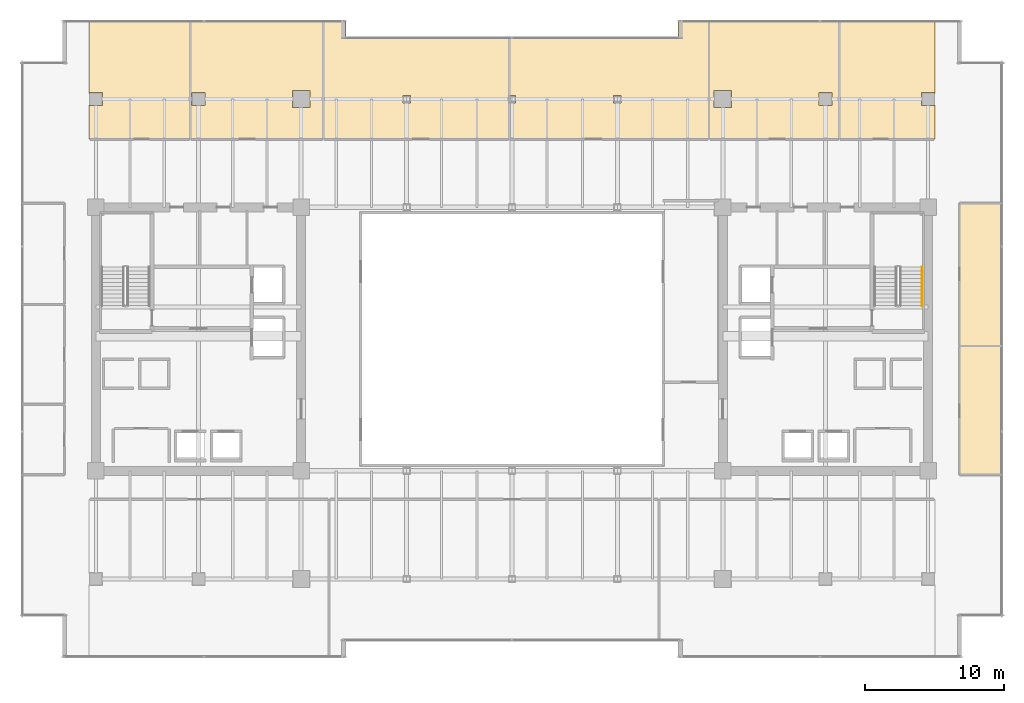
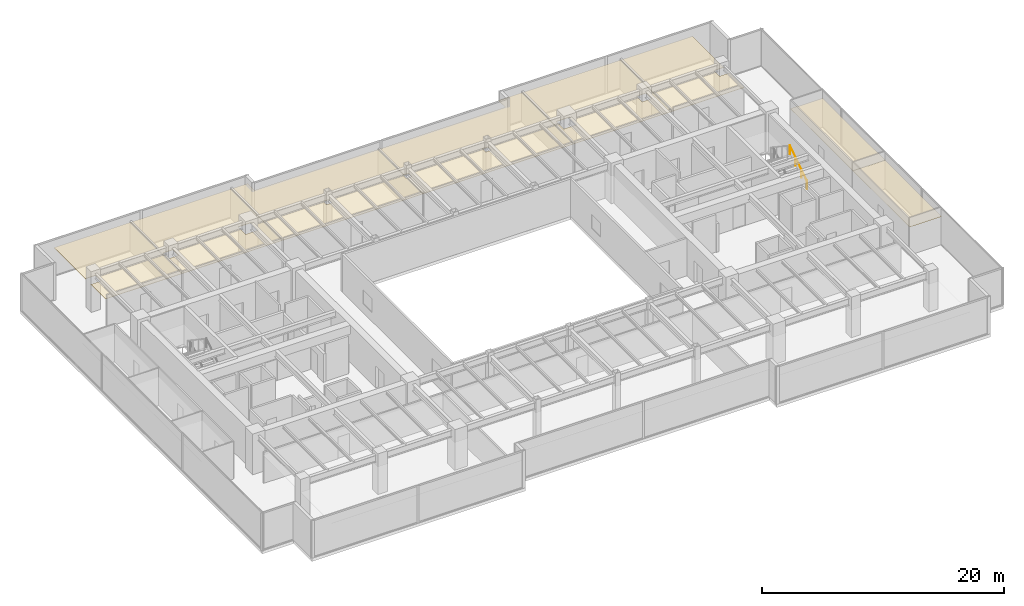
# One storey, part 33 of 33: 8 coverings, 1 railing.
"""IFC4 building model written with IfcOpenShell, lengths in metres."""

import ifcopenshell
import ifcopenshell.guid

model = None  # the IFC model being written
_history = None  # IfcOwnerHistory: only IFC2X3 demands one
_inside = {}  # id of a spatial element -> (the spatial element, [elements in it])
_under = {}  # id of a project, library or spatial element -> (it, [spatial elements below it])
_declared = {}  # id of a project -> (the project, [libraries it declares])
_typed = {}  # id of a type object -> (the type object, [elements of that type])
_made_of = {}  # id of a material, layer set ... -> (it, [elements and type objects made of it])


def new_model(schema):
    """Start an empty IFC model of exactly this schema.

    Asked for "IFC4X3", IfcOpenShell would pick the latest addendum, in which some entities
    have other attributes; the version numbers below select the first issue.
    IFC2X3 requires an IfcOwnerHistory on every rooted entity: one is made here for all.
    """
    global model, _history
    if schema == "IFC4X3":
        model = ifcopenshell.file(schema_version=(4, 3, 0, 0))
    else:
        model = ifcopenshell.file(schema=schema)
    _inside.clear()
    _under.clear()
    _declared.clear()
    _typed.clear()
    _made_of.clear()
    _history = None
    if model.schema == "IFC2X3":
        org = make("IfcOrganization", Name="unknown")
        user = make(
            "IfcPersonAndOrganization",
            ThePerson=make("IfcPerson", FamilyName="unknown"),
            TheOrganization=org,
        )
        app = make(
            "IfcApplication",
            ApplicationDeveloper=org,
            Version="unknown",
            ApplicationFullName="unknown",
            ApplicationIdentifier="unknown",
        )
        _history = make(
            "IfcOwnerHistory",
            OwningUser=user,
            OwningApplication=app,
            ChangeAction="ADDED",
            CreationDate=0,
        )
    return model


def make(cls, **values):
    """One entity of the class cls with the attributes given. An attribute that is None is left unset."""
    return model.create_entity(
        cls, **{name: value for name, value in values.items() if value is not None}
    )


def rooted(cls, **values):
    """An entity with a GlobalId (a new one), such as an element, a storey or a relation."""
    return make(cls, GlobalId=ifcopenshell.guid.new(), OwnerHistory=_history, **values)


def si_unit(unit_type, name, prefix=None):
    """IfcSIUnit, for example si_unit("LENGTHUNIT", "METRE", prefix="MILLI")."""
    return make("IfcSIUnit", UnitType=unit_type, Prefix=prefix, Name=name)


def assignment(units):
    """IfcUnitAssignment: the units of a project."""
    return None if units is None else make("IfcUnitAssignment", Units=units)


def point(xyz):
    """IfcCartesianPoint."""
    return None if xyz is None else make("IfcCartesianPoint", Coordinates=xyz)


def direction(xyz):
    """IfcDirection."""
    return None if xyz is None else make("IfcDirection", DirectionRatios=xyz)


def frame(location, z_axis=None, x_axis=None):
    """IfcAxis2Placement3D, a coordinate frame: its origin and axes. An axis left out is left unset."""
    return make(
        "IfcAxis2Placement3D",
        Location=point(location),
        Axis=direction(z_axis),
        RefDirection=direction(x_axis),
    )


def frame_2d(location, x_axis=None):
    """IfcAxis2Placement2D, a coordinate frame in the plane: its origin and x axis."""
    return make(
        "IfcAxis2Placement2D", Location=point(location), RefDirection=direction(x_axis)
    )


def origin():
    """The frame at (0, 0, 0) with its axes left unset."""
    return frame((0.0, 0.0, 0.0))


def origin_2d():
    """The frame at (0, 0) in the plane with its x axis left unset."""
    return frame_2d((0.0, 0.0))


def place(relative_to, where):
    """IfcLocalPlacement: puts the frame where relative to a parent placement (None: the world)."""
    return make(
        "IfcLocalPlacement", PlacementRelTo=relative_to, RelativePlacement=where
    )


def context(
    kind, dimensions, precision=None, world=None, true_north=None, identifier=None
):
    """IfcGeometricRepresentationContext, for example the 3D "Model" context."""
    return make(
        "IfcGeometricRepresentationContext",
        ContextIdentifier=identifier,
        ContextType=kind,
        CoordinateSpaceDimension=dimensions,
        Precision=precision,
        WorldCoordinateSystem=world,
        TrueNorth=true_north,
    )


def subcontext(parent, identifier, kind, view, scale=None):
    """IfcGeometricRepresentationSubContext, for example "Body" below "Model"."""
    return make(
        "IfcGeometricRepresentationSubContext",
        ContextIdentifier=identifier,
        ContextType=kind,
        ParentContext=parent,
        TargetScale=scale,
        TargetView=view,
    )


def project(units=None, contexts=None):
    """IfcProject with its units and contexts."""
    return rooted(
        "IfcProject",
        Name="project",
        RepresentationContexts=contexts,
        UnitsInContext=assignment(units),
    )


def spatial(cls, under=None, at=None, **own):
    """A site, building, storey or space (cls), placed at a placement, below another one or the project."""
    s = rooted(cls, ObjectPlacement=at, **own)
    if under is not None:
        _under.setdefault(under.id(), (under, []))[1].append(s)
    return s


def polyline(points):
    """IfcPolyline through the points."""
    return make("IfcPolyline", Points=[point(p) for p in points])


def profile(cls, at=None, kind="AREA", **sizes):
    """A parametric profile (cls). Its sizes go by their IFC names, for example OverallWidth=200.0."""
    return make(cls, ProfileType=kind, Position=at, **sizes)


def circle(**sizes):
    """IfcCircleProfileDef."""
    return profile("IfcCircleProfileDef", **sizes)


def outline(outer, holes=None, kind="AREA"):
    """IfcArbitraryClosedProfileDef: a profile drawn as a closed curve; with holes, ...WithVoids."""
    if holes is None:
        return make("IfcArbitraryClosedProfileDef", ProfileType=kind, OuterCurve=outer)
    return make(
        "IfcArbitraryProfileDefWithVoids",
        ProfileType=kind,
        OuterCurve=outer,
        InnerCurves=holes,
    )


def extrude(swept, where, along, depth):
    """IfcExtrudedAreaSolid: the profile swept, set in the frame where, extruded along a direction by depth."""
    return make(
        "IfcExtrudedAreaSolid",
        SweptArea=swept,
        Position=where,
        ExtrudedDirection=direction(along),
        Depth=depth,
    )


def shape(context_of_items, identifier, shape_type, items):
    """IfcShapeRepresentation: the items that make up one representation, for example the "Body"."""
    return make(
        "IfcShapeRepresentation",
        ContextOfItems=context_of_items,
        RepresentationIdentifier=identifier,
        RepresentationType=shape_type,
        Items=items,
    )


def source(mapping_origin, context_of_items, identifier, shape_type, items):
    """IfcRepresentationMap: a shape defined once, which mapped items show again and again."""
    return make(
        "IfcRepresentationMap",
        MappingOrigin=mapping_origin,
        MappedRepresentation=shape(context_of_items, identifier, shape_type, items),
    )


def transform(
    local_origin,
    x_axis=None,
    y_axis=None,
    z_axis=None,
    scale=None,
    scale2=None,
    scale3=None,
    uniform=True,
):
    """IfcCartesianTransformationOperator3D, or its non-uniform kind. x_axis, y_axis, z_axis: its Axis1, 2, 3."""
    if uniform:
        return make(
            "IfcCartesianTransformationOperator3D",
            Axis1=direction(x_axis),
            Axis2=direction(y_axis),
            LocalOrigin=point(local_origin),
            Scale=scale,
            Axis3=direction(z_axis),
        )
    return make(
        "IfcCartesianTransformationOperator3DnonUniform",
        Axis1=direction(x_axis),
        Axis2=direction(y_axis),
        LocalOrigin=point(local_origin),
        Scale=scale,
        Axis3=direction(z_axis),
        Scale2=scale2,
        Scale3=scale3,
    )


def mapped(mapping_source, mapping_target):
    """IfcMappedItem: shows the shape of a source again, moved by a transform."""
    return make(
        "IfcMappedItem", MappingSource=mapping_source, MappingTarget=mapping_target
    )


def material(Name=None, Category=None):
    """IfcMaterial."""
    return make("IfcMaterial", Name=Name, Category=Category)


def layer(
    of_material, thickness, ventilated=None, Name=None, Category=None, Priority=None
):
    """IfcMaterialLayer: one layer of a wall or slab, of a material (None: an air gap)."""
    return make(
        "IfcMaterialLayer",
        Material=of_material,
        LayerThickness=thickness,
        IsVentilated=ventilated,
        Name=Name,
        Category=Category,
        Priority=Priority,
    )


def layer_set(layers, Name=None):
    """IfcMaterialLayerSet."""
    return make("IfcMaterialLayerSet", MaterialLayers=layers, LayerSetName=Name)


def made_of(thing, what):
    """Note that an element or type object is made of a material, layer set ...; save() writes the relation."""
    if what is not None:
        _made_of.setdefault(what.id(), (what, []))[1].append(thing)
    return thing


def type_object(cls, material=None, **own):
    """A type object (cls), such as IfcWallType, which elements share."""
    return made_of(rooted(cls, **own), material)


def type_shapes(of_type, sources):
    """Give a type object the sources (RepresentationMaps) that its elements show as mapped items."""
    of_type.RepresentationMaps = sources


def element(
    cls,
    number,
    at=None,
    inside=None,
    cuts=None,
    type_object=None,
    material=None,
    context=None,
    identifier="Body",
    shape_type=None,
    held_by="IfcProductDefinitionShape",
    body=None,
    shapes=None,
    **own,
):
    """One element of the class cls, such as IfcWall. Its Tag is "e" and its number.

    at: its placement. inside: the storey or other place that contains it. cuts: it is an
    opening in that element (IfcRelVoidsElement). A single representation is given by context,
    identifier, shape_type and body (its items); several are given by shapes. held_by: the class
    of the entity that holds the representations. save() writes the other relations.
    """
    e = rooted(cls, Tag="e%d" % number, ObjectPlacement=at, **own)
    if body is not None:
        shapes = [shape(context, identifier, shape_type, body)]
    if shapes is not None:
        e.Representation = make(held_by, Representations=shapes)
    if inside is not None:
        _inside.setdefault(inside.id(), (inside, []))[1].append(e)
    if cuts is not None:
        rooted(
            "IfcRelVoidsElement", RelatingBuildingElement=cuts, RelatedOpeningElement=e
        )
    if type_object is not None:
        _typed.setdefault(type_object.id(), (type_object, []))[1].append(e)
    return made_of(e, material)


def aggregate(whole, parts):
    """IfcRelAggregates: a whole, such as a stair, and the parts it consists of."""
    return rooted("IfcRelAggregates", RelatingObject=whole, RelatedObjects=parts)


def save(model, path):
    """Write the relations noted so far, then the file.

    IfcRelAggregates (storeys below a building ...), IfcRelContainedInSpatialStructure (elements
    in a storey), IfcRelDefinesByType, IfcRelAssociatesMaterial and IfcRelDeclares: one each for
    every whole, place, type object, material and project.
    """
    for whole, parts in _under.values():
        aggregate(whole, parts)
    for where, things in _inside.values():
        rooted(
            "IfcRelContainedInSpatialStructure",
            RelatedElements=things,
            RelatingStructure=where,
        )
    for kind, things in _typed.values():
        rooted("IfcRelDefinesByType", RelatedObjects=things, RelatingType=kind)
    for what, things in _made_of.values():
        rooted("IfcRelAssociatesMaterial", RelatedObjects=things, RelatingMaterial=what)
    for by, libraries in _declared.values():
        rooted("IfcRelDeclares", RelatingContext=by, RelatedDefinitions=libraries)
    model.write(path)


model = new_model("IFC4")

# Units and contexts
model_context = context("Model", 3, precision=1e-05, world=origin(), true_north=direction((0.0, 1.0)))
body_context = subcontext(model_context, "Body", "Model", "MODEL_VIEW")
ifc_project = project(units=[si_unit("LENGTHUNIT", "METRE"), si_unit("AREAUNIT", "SQUARE_METRE"), si_unit("VOLUMEUNIT", "CUBIC_METRE"), si_unit("PLANEANGLEUNIT", "RADIAN"), si_unit("MASSUNIT", "GRAM", prefix="KILO")], contexts=[model_context])

# Site, building, storey
site_placement = place(None, origin())
site = spatial("IfcSite", under=ifc_project, at=site_placement, CompositionType="ELEMENT")
building_placement = place(site_placement, origin())
building = spatial("IfcBuilding", under=site, at=building_placement, Name="Haelvirn Gate Laboratories", CompositionType="ELEMENT")
storey_placement = place(building_placement, frame((0.0, 0.0, 133.800048828125)))
storey = spatial("IfcBuildingStorey", under=building, at=storey_placement, Name="L32", CompositionType="ELEMENT", Elevation=133.800048828125)

# Coverings
ifc_material_1 = material(Name="Micro-perforated acoustic mineral-fibre laboratory ceiling")
ifc_layer = layer(ifc_material_1, 0.0400390625, Name="COV-CEIL-ACT")
ifc_layer_set = layer_set([ifc_layer], Name="Micro-perforated acoustic mineral-fibre laboratory ceiling")
covering_type = type_object("IfcCoveringType", Name="COV-CEIL-ACT", PredefinedType="CEILING", material=ifc_layer_set)
covering_1_placement = place(storey_placement, frame((0.0, 0.0, 2.820068359375)))
element("IfcCovering", 1, at=covering_1_placement, inside=storey, type_object=covering_type, Name="L32 Laboratory Acoustic Ceiling CEIL-SP-L32-N-01", PredefinedType="CEILING", context=body_context, shape_type="SweptSolid", body=[
    extrude(outline(polyline([(6.919921875, 42.010009765625), (6.919921875, 47.25), (14.179931640625, 47.25), (14.179931640625, 38.715087890625), (6.919921875, 38.715087890625), (6.919921875, 41.18994140625), (6.929931640625, 41.18994140625), (6.929931640625, 41.1298828125), (7.8701171875, 41.1298828125), (7.8701171875, 42.070068359375), (6.929931640625, 42.070068359375), (6.929931640625, 42.010009765625), (6.919921875, 42.010009765625)])), origin(), (0.0, 0.0, 1.0), 0.039794921875),
])
covering_2_placement = place(storey_placement, frame((0.0, 0.0, 2.820068359375)))
element("IfcCovering", 2, at=covering_2_placement, inside=storey, type_object=covering_type, Name="L32 Laboratory Acoustic Ceiling CEIL-SP-L32-N-02", PredefinedType="CEILING", context=body_context, shape_type="SweptSolid", body=[
    extrude(outline(polyline([(14.219970703125, 47.25), (23.780029296875, 47.25), (23.780029296875, 38.715087890625), (14.219970703125, 38.715087890625), (14.219970703125, 47.25)]), holes=[polyline([(14.330078125, 42.070068359375), (14.330078125, 41.1298828125), (15.27001953125, 41.1298828125), (15.27001953125, 42.070068359375), (14.330078125, 42.070068359375)]), polyline([(22.820068359375, 42.219970703125), (21.580078125, 42.219970703125), (21.580078125, 40.97998046875), (22.820068359375, 40.97998046875), (22.820068359375, 42.219970703125)])]), origin(), (0.0, 0.0, 1.0), 0.039794921875),
])
covering_3_placement = place(storey_placement, frame((0.0, 0.0, 2.820068359375)))
element("IfcCovering", 3, at=covering_3_placement, inside=storey, type_object=covering_type, Name="L32 Laboratory Acoustic Ceiling CEIL-SP-L32-N-03", PredefinedType="CEILING", context=body_context, shape_type="SweptSolid", body=[
    extrude(outline(polyline([(25.419921875, 46.1201171875), (37.179931640625, 46.1201171875), (37.179931640625, 41.8701171875), (37.1298828125, 41.8701171875), (37.1298828125, 41.330078125), (37.179931640625, 41.330078125), (37.179931640625, 38.715087890625), (23.820068359375, 38.715087890625), (23.820068359375, 47.25), (25.419921875, 47.25), (25.419921875, 46.1201171875)]), holes=[polyline([(29.530029296875, 41.8701171875), (29.530029296875, 41.330078125), (30.070068359375, 41.330078125), (30.070068359375, 41.8701171875), (29.530029296875, 41.8701171875)])]), origin(), (0.0, 0.0, 1.0), 0.039794921875),
])
covering_4_placement = place(storey_placement, frame((0.0, 0.0, 2.820068359375)))
element("IfcCovering", 4, at=covering_4_placement, inside=storey, type_object=covering_type, Name="L32 Laboratory Acoustic Ceiling CEIL-SP-L32-N-04", PredefinedType="CEILING", context=body_context, shape_type="SweptSolid", body=[
    extrude(outline(polyline([(49.3798828125, 46.1201171875), (49.3798828125, 47.25), (51.580078125, 47.25), (51.580078125, 38.715087890625), (37.219970703125, 38.715087890625), (37.219970703125, 41.330078125), (37.669921875, 41.330078125), (37.669921875, 41.8701171875), (37.219970703125, 41.8701171875), (37.219970703125, 46.1201171875), (49.3798828125, 46.1201171875)]), holes=[polyline([(45.27001953125, 41.8701171875), (44.72998046875, 41.8701171875), (44.72998046875, 41.330078125), (45.27001953125, 41.330078125), (45.27001953125, 41.8701171875)])]), origin(), (0.0, 0.0, 1.0), 0.039794921875),
])
covering_5_placement = place(storey_placement, frame((0.0, 0.0, 2.820068359375)))
element("IfcCovering", 5, at=covering_5_placement, inside=storey, type_object=covering_type, Name="L32 Laboratory Acoustic Ceiling CEIL-SP-L32-N-05", PredefinedType="CEILING", context=body_context, shape_type="SweptSolid", body=[
    extrude(outline(polyline([(51.6201171875, 47.25), (60.97998046875, 47.25), (60.97998046875, 38.715087890625), (51.6201171875, 38.715087890625), (51.6201171875, 47.25)]), holes=[polyline([(51.97998046875, 42.219970703125), (51.97998046875, 40.97998046875), (53.219970703125, 40.97998046875), (53.219970703125, 42.219970703125), (51.97998046875, 42.219970703125)]), polyline([(60.469970703125, 42.070068359375), (59.530029296875, 42.070068359375), (59.530029296875, 41.1298828125), (60.469970703125, 41.1298828125), (60.469970703125, 42.070068359375)])]), origin(), (0.0, 0.0, 1.0), 0.039794921875),
])
covering_6_placement = place(storey_placement, frame((0.0, 0.0, 2.820068359375)))
element("IfcCovering", 6, at=covering_6_placement, inside=storey, type_object=covering_type, Name="L32 Laboratory Acoustic Ceiling CEIL-SP-L32-N-06", PredefinedType="CEILING", context=body_context, shape_type="SweptSolid", body=[
    extrude(outline(polyline([(67.8798828125, 42.010009765625), (67.8701171875, 42.010009765625), (67.8701171875, 42.070068359375), (66.929931640625, 42.070068359375), (66.929931640625, 41.1298828125), (67.8701171875, 41.1298828125), (67.8701171875, 41.18994140625), (67.8798828125, 41.18994140625), (67.8798828125, 38.715087890625), (61.02001953125, 38.715087890625), (61.02001953125, 47.25), (67.8798828125, 47.25), (67.8798828125, 42.010009765625)])), origin(), (0.0, 0.0, 1.0), 0.039794921875),
])
covering_7_placement = place(storey_placement, frame((0.0, 0.0, 2.820068359375)))
element("IfcCovering", 7, at=covering_7_placement, inside=storey, type_object=covering_type, Name="L32 Laboratory Acoustic Ceiling CEIL-SP-L32-ECELL-01", PredefinedType="CEILING", context=body_context, shape_type="SweptSolid", body=[
    extrude(outline(polyline([(69.679931640625, 23.800048828125), (72.75, 23.800048828125), (72.75, 14.455078125), (69.679931640625, 14.455078125), (69.679931640625, 23.800048828125)])), origin(), (0.0, 0.0, 1.0), 0.039794921875),
])
covering_8_placement = place(storey_placement, frame((0.0, 0.0, 2.820068359375)))
element("IfcCovering", 8, at=covering_8_placement, inside=storey, type_object=covering_type, Name="L32 Laboratory Acoustic Ceiling CEIL-SP-L32-ECELL-02", PredefinedType="CEILING", context=body_context, shape_type="SweptSolid", body=[
    extrude(outline(polyline([(69.679931640625, 34.14501953125), (72.75, 34.14501953125), (72.75, 23.800048828125), (69.679931640625, 23.800048828125), (69.679931640625, 34.14501953125)])), origin(), (0.0, 0.0, 1.0), 0.039794921875),
])

# Railing
ifc_material_2 = material(Name="Brushed stainless steel 316L", Category="steel")
railing_type = type_object("IfcRailingType", Name="RL-HAND-920", PredefinedType="HANDRAIL", material=ifc_material_2)
shared_shape = source(origin(), body_context, "Body", "SweptSolid", [
    extrude(circle(Radius=0.02392578125, at=origin_2d()), frame((0.0, 0.0, 0.8759765625), z_axis=(0.0, 0.832452072856, 0.554097055034), x_axis=(-1.0, 0.0, 0.0)), (0.0, 0.0, 1.0), 3.363525390625),
    extrude(circle(Radius=0.02099609375, at=origin_2d()), origin(), (0.0, 0.0, 1.0), 0.851806640625),
    extrude(circle(Radius=0.02099609375, at=origin_2d()), frame((0.0, 0.933349609375, 0.621337890625)), (0.0, 0.0, 1.0), 0.851806640625),
    extrude(circle(Radius=0.02099609375, at=origin_2d()), frame((0.0, 1.86669921875, 1.242431640625)), (0.0, 0.0, 1.0), 0.851806640625),
    extrude(circle(Radius=0.02099609375, at=origin_2d()), frame((0.0, 2.800048828125, 1.86376953125)), (0.0, 0.0, 1.0), 0.851806640625),
])
type_shapes(railing_type, [shared_shape])
railing_placement = place(storey_placement, frame((66.949951171875, 26.699951171875, 0.186279296875)))
element("IfcRailing", 9, at=railing_placement, inside=storey, type_object=railing_type, Name="L32 ST2 stair handrail 1", PredefinedType="HANDRAIL", context=body_context, shape_type="MappedRepresentation", body=[
    mapped(shared_shape, transform((0.0, 0.0, 0.0), scale=1.0)),
])

save(model, "model.ifc")
